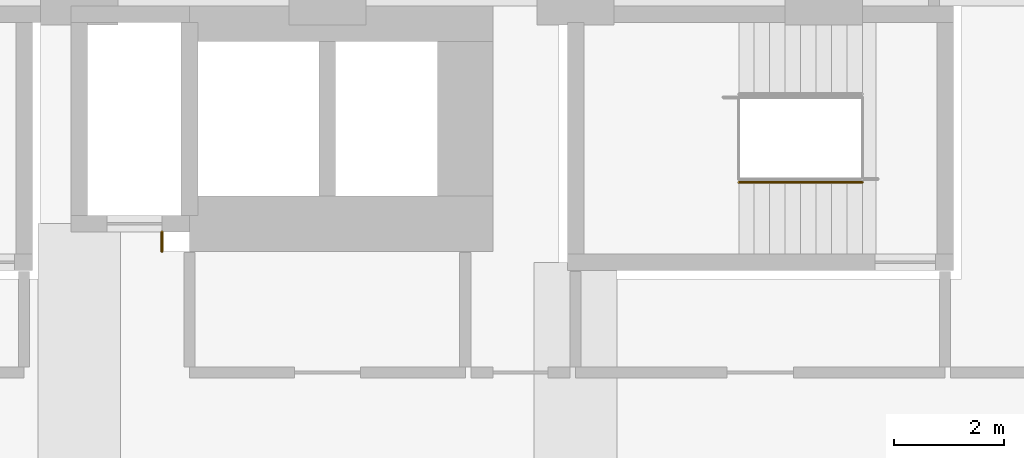
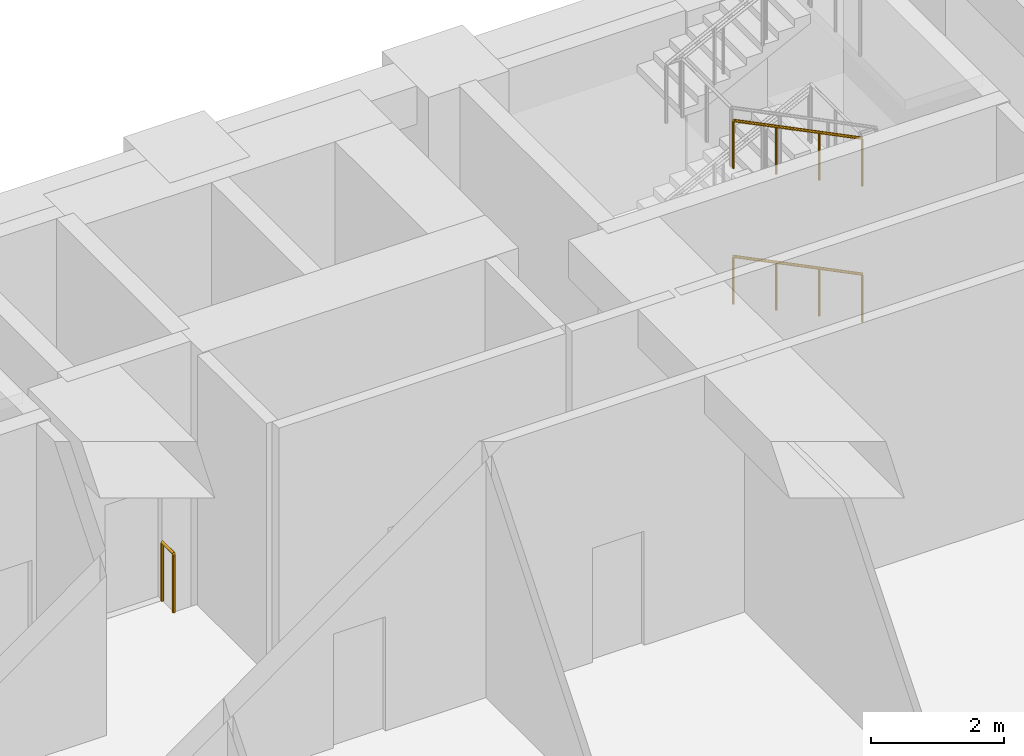
# One storey, part 27 of 30: 3 railings.
"""IFC4 building model written with IfcOpenShell, lengths in metres."""

from ifc_helpers import new_model, si_unit, direction, frame, origin, origin_2d, place, context, subcontext, project, spatial, circle, extrude, material, type_object, element, save


model = new_model("IFC4")

# Units and contexts
model_context = context("Model", 3, precision=1e-05, world=origin(), true_north=direction((0.0, 1.0)))
body_context = subcontext(model_context, "Body", "Model", "MODEL_VIEW")
ifc_project = project(units=[si_unit("LENGTHUNIT", "METRE"), si_unit("AREAUNIT", "SQUARE_METRE"), si_unit("VOLUMEUNIT", "CUBIC_METRE"), si_unit("PLANEANGLEUNIT", "RADIAN"), si_unit("MASSUNIT", "GRAM", prefix="KILO")], contexts=[model_context])

# Site, building, storey
site_placement = place(None, origin())
site = spatial("IfcSite", under=ifc_project, at=site_placement, CompositionType="ELEMENT")
building_placement = place(site_placement, origin())
building = spatial("IfcBuilding", under=site, at=building_placement, Name="Firuza Court", CompositionType="ELEMENT")
storey_placement = place(building_placement, frame((0.0, 0.0, 9.0)))
storey = spatial("IfcBuildingStorey", under=building, at=storey_placement, Name="L01", CompositionType="ELEMENT", Elevation=9.0)

# Railings
ifc_material_1 = material(Name="Steel S355", Category="steel")
railing_type_1 = type_object("IfcRailingType", Name="Handrail 900", PredefinedType="HANDRAIL", material=ifc_material_1)
for number, where, name in (
    (1, (59.199951171875, 54.949951171875, 0.138916015625), "Handrail S4 flight 1"),
    (2, (59.199951171875, 54.949951171875, 2.638916015625), "Handrail S4 flight 3"),
):
    element("IfcRailing", number, at=place(storey_placement, frame(where)), inside=storey, type_object=railing_type_1, Name=name, PredefinedType="HANDRAIL", context=body_context, shape_type="SweptSolid", body=[
        extrude(circle(Radius=0.02490234375, at=origin_2d()), frame((0.0, 0.0, 0.875), z_axis=(-0.895848192791, 0.0, 0.444360231651), x_axis=(0.0, -1.0, 0.0)), (0.0, 0.0, 1.0), 2.50048828125),
        extrude(circle(Radius=0.02001953125, at=origin_2d()), origin(), (0.0, 0.0, 1.0), 0.849853515625),
        extrude(circle(Radius=0.02001953125, at=origin_2d()), frame((-0.74658203125, 0.0, 0.370361328125)), (0.0, 0.0, 1.0), 0.849853515625),
        extrude(circle(Radius=0.02001953125, at=origin_2d()), frame((-1.493408203125, 0.0, 0.74072265625)), (0.0, 0.0, 1.0), 0.849853515625),
        extrude(circle(Radius=0.02001953125, at=origin_2d()), frame((-2.239990234375, 0.0, 1.111083984375)), (0.0, 0.0, 1.0), 0.849853515625),
    ])
ifc_material_2 = material(Name="Steel S355", Category="steel")
railing_type_2 = type_object("IfcRailingType", Name="Slab opening guard 1100", PredefinedType="GUARDRAIL", material=ifc_material_2)
railing_placement = place(storey_placement, frame((46.5, 54.050048828125, 0.0)))
element("IfcRailing", 3, at=railing_placement, inside=storey, type_object=railing_type_2, Name="Slab opening guard", PredefinedType="GUARDRAIL", context=body_context, shape_type="SweptSolid", body=[
    extrude(circle(Radius=0.02490234375, at=origin_2d()), frame((0.0, 0.0, 1.0751953125), z_axis=(0.0, -1.0, 0.0), x_axis=(1.0, 0.0, 0.0)), (0.0, 0.0, 1.0), 0.35009765625),
    extrude(circle(Radius=0.02490234375, at=origin_2d()), origin(), (0.0, 0.0, 1.0), 1.050048828125),
    extrude(circle(Radius=0.02490234375, at=origin_2d()), frame((0.0, -0.35009765625, 0.0)), (0.0, 0.0, 1.0), 1.050048828125),
])

save(model, "model.ifc")
